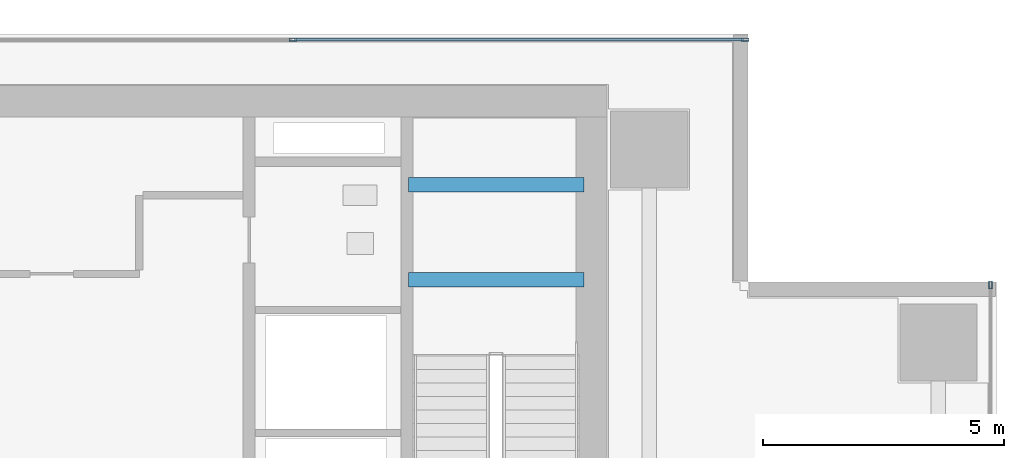
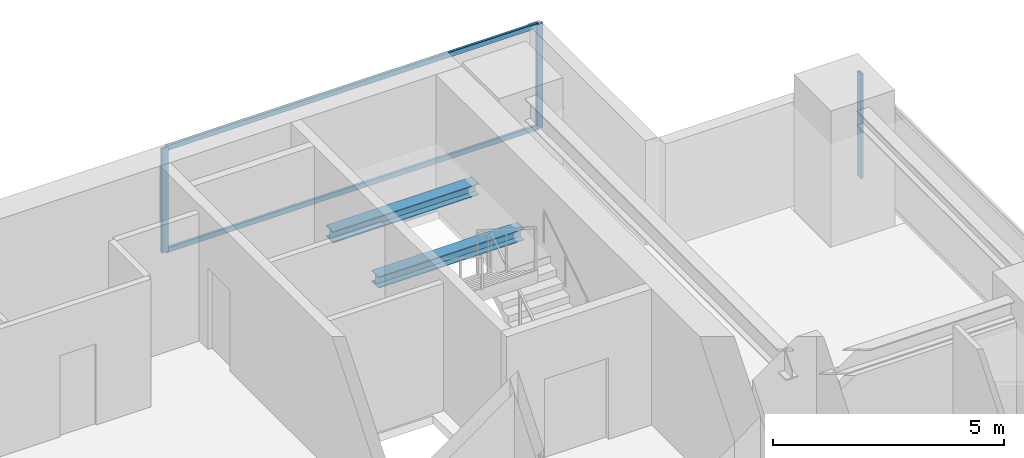
# One storey, part 19 of 27: 5 members, 2 beams, 2 elements without a shape of their own.
"""IFC4 building model written with IfcOpenShell, lengths in metres."""

import ifcopenshell
import ifcopenshell.guid

model = None  # the IFC model being written
_history = None  # IfcOwnerHistory: only IFC2X3 demands one
_inside = {}  # id of a spatial element -> (the spatial element, [elements in it])
_under = {}  # id of a project, library or spatial element -> (it, [spatial elements below it])
_declared = {}  # id of a project -> (the project, [libraries it declares])
_typed = {}  # id of a type object -> (the type object, [elements of that type])
_made_of = {}  # id of a material, layer set ... -> (it, [elements and type objects made of it])


def new_model(schema):
    """Start an empty IFC model of exactly this schema.

    Asked for "IFC4X3", IfcOpenShell would pick the latest addendum, in which some entities
    have other attributes; the version numbers below select the first issue.
    IFC2X3 requires an IfcOwnerHistory on every rooted entity: one is made here for all.
    """
    global model, _history
    if schema == "IFC4X3":
        model = ifcopenshell.file(schema_version=(4, 3, 0, 0))
    else:
        model = ifcopenshell.file(schema=schema)
    _inside.clear()
    _under.clear()
    _declared.clear()
    _typed.clear()
    _made_of.clear()
    _history = None
    if model.schema == "IFC2X3":
        org = make("IfcOrganization", Name="unknown")
        user = make(
            "IfcPersonAndOrganization",
            ThePerson=make("IfcPerson", FamilyName="unknown"),
            TheOrganization=org,
        )
        app = make(
            "IfcApplication",
            ApplicationDeveloper=org,
            Version="unknown",
            ApplicationFullName="unknown",
            ApplicationIdentifier="unknown",
        )
        _history = make(
            "IfcOwnerHistory",
            OwningUser=user,
            OwningApplication=app,
            ChangeAction="ADDED",
            CreationDate=0,
        )
    return model


def make(cls, **values):
    """One entity of the class cls with the attributes given. An attribute that is None is left unset."""
    return model.create_entity(
        cls, **{name: value for name, value in values.items() if value is not None}
    )


def rooted(cls, **values):
    """An entity with a GlobalId (a new one), such as an element, a storey or a relation."""
    return make(cls, GlobalId=ifcopenshell.guid.new(), OwnerHistory=_history, **values)


def si_unit(unit_type, name, prefix=None):
    """IfcSIUnit, for example si_unit("LENGTHUNIT", "METRE", prefix="MILLI")."""
    return make("IfcSIUnit", UnitType=unit_type, Prefix=prefix, Name=name)


def assignment(units):
    """IfcUnitAssignment: the units of a project."""
    return None if units is None else make("IfcUnitAssignment", Units=units)


def point(xyz):
    """IfcCartesianPoint."""
    return None if xyz is None else make("IfcCartesianPoint", Coordinates=xyz)


def direction(xyz):
    """IfcDirection."""
    return None if xyz is None else make("IfcDirection", DirectionRatios=xyz)


def frame(location, z_axis=None, x_axis=None):
    """IfcAxis2Placement3D, a coordinate frame: its origin and axes. An axis left out is left unset."""
    return make(
        "IfcAxis2Placement3D",
        Location=point(location),
        Axis=direction(z_axis),
        RefDirection=direction(x_axis),
    )


def frame_2d(location, x_axis=None):
    """IfcAxis2Placement2D, a coordinate frame in the plane: its origin and x axis."""
    return make(
        "IfcAxis2Placement2D", Location=point(location), RefDirection=direction(x_axis)
    )


def origin():
    """The frame at (0, 0, 0) with its axes left unset."""
    return frame((0.0, 0.0, 0.0))


def origin_2d():
    """The frame at (0, 0) in the plane with its x axis left unset."""
    return frame_2d((0.0, 0.0))


def place(relative_to, where):
    """IfcLocalPlacement: puts the frame where relative to a parent placement (None: the world)."""
    return make(
        "IfcLocalPlacement", PlacementRelTo=relative_to, RelativePlacement=where
    )


def context(
    kind, dimensions, precision=None, world=None, true_north=None, identifier=None
):
    """IfcGeometricRepresentationContext, for example the 3D "Model" context."""
    return make(
        "IfcGeometricRepresentationContext",
        ContextIdentifier=identifier,
        ContextType=kind,
        CoordinateSpaceDimension=dimensions,
        Precision=precision,
        WorldCoordinateSystem=world,
        TrueNorth=true_north,
    )


def subcontext(parent, identifier, kind, view, scale=None):
    """IfcGeometricRepresentationSubContext, for example "Body" below "Model"."""
    return make(
        "IfcGeometricRepresentationSubContext",
        ContextIdentifier=identifier,
        ContextType=kind,
        ParentContext=parent,
        TargetScale=scale,
        TargetView=view,
    )


def project(units=None, contexts=None):
    """IfcProject with its units and contexts."""
    return rooted(
        "IfcProject",
        Name="project",
        RepresentationContexts=contexts,
        UnitsInContext=assignment(units),
    )


def spatial(cls, under=None, at=None, **own):
    """A site, building, storey or space (cls), placed at a placement, below another one or the project."""
    s = rooted(cls, ObjectPlacement=at, **own)
    if under is not None:
        _under.setdefault(under.id(), (under, []))[1].append(s)
    return s


def profile(cls, at=None, kind="AREA", **sizes):
    """A parametric profile (cls). Its sizes go by their IFC names, for example OverallWidth=200.0."""
    return make(cls, ProfileType=kind, Position=at, **sizes)


def hollow_rectangle(**sizes):
    """IfcRectangleHollowProfileDef."""
    return profile("IfcRectangleHollowProfileDef", **sizes)


def i_section(**sizes):
    """IfcIShapeProfileDef."""
    return profile("IfcIShapeProfileDef", **sizes)


def extrude(swept, where, along, depth):
    """IfcExtrudedAreaSolid: the profile swept, set in the frame where, extruded along a direction by depth."""
    return make(
        "IfcExtrudedAreaSolid",
        SweptArea=swept,
        Position=where,
        ExtrudedDirection=direction(along),
        Depth=depth,
    )


def shape(context_of_items, identifier, shape_type, items):
    """IfcShapeRepresentation: the items that make up one representation, for example the "Body"."""
    return make(
        "IfcShapeRepresentation",
        ContextOfItems=context_of_items,
        RepresentationIdentifier=identifier,
        RepresentationType=shape_type,
        Items=items,
    )


def source(mapping_origin, context_of_items, identifier, shape_type, items):
    """IfcRepresentationMap: a shape defined once, which mapped items show again and again."""
    return make(
        "IfcRepresentationMap",
        MappingOrigin=mapping_origin,
        MappedRepresentation=shape(context_of_items, identifier, shape_type, items),
    )


def transform(
    local_origin,
    x_axis=None,
    y_axis=None,
    z_axis=None,
    scale=None,
    scale2=None,
    scale3=None,
    uniform=True,
):
    """IfcCartesianTransformationOperator3D, or its non-uniform kind. x_axis, y_axis, z_axis: its Axis1, 2, 3."""
    if uniform:
        return make(
            "IfcCartesianTransformationOperator3D",
            Axis1=direction(x_axis),
            Axis2=direction(y_axis),
            LocalOrigin=point(local_origin),
            Scale=scale,
            Axis3=direction(z_axis),
        )
    return make(
        "IfcCartesianTransformationOperator3DnonUniform",
        Axis1=direction(x_axis),
        Axis2=direction(y_axis),
        LocalOrigin=point(local_origin),
        Scale=scale,
        Axis3=direction(z_axis),
        Scale2=scale2,
        Scale3=scale3,
    )


def mapped(mapping_source, mapping_target):
    """IfcMappedItem: shows the shape of a source again, moved by a transform."""
    return make(
        "IfcMappedItem", MappingSource=mapping_source, MappingTarget=mapping_target
    )


def material(Name=None, Category=None):
    """IfcMaterial."""
    return make("IfcMaterial", Name=Name, Category=Category)


def layer(
    of_material, thickness, ventilated=None, Name=None, Category=None, Priority=None
):
    """IfcMaterialLayer: one layer of a wall or slab, of a material (None: an air gap)."""
    return make(
        "IfcMaterialLayer",
        Material=of_material,
        LayerThickness=thickness,
        IsVentilated=ventilated,
        Name=Name,
        Category=Category,
        Priority=Priority,
    )


def layer_set(layers, Name=None):
    """IfcMaterialLayerSet."""
    return make("IfcMaterialLayerSet", MaterialLayers=layers, LayerSetName=Name)


def material_profile(
    of_material, cross_section, Name=None, Category=None, Priority=None
):
    """IfcMaterialProfile: a cross section and its material."""
    return make(
        "IfcMaterialProfile",
        Name=Name,
        Material=of_material,
        Profile=cross_section,
        Priority=Priority,
        Category=Category,
    )


def profile_set(profiles, Name=None, composite=None):
    """IfcMaterialProfileSet."""
    return make(
        "IfcMaterialProfileSet",
        Name=Name,
        MaterialProfiles=profiles,
        CompositeProfile=composite,
    )


def made_of(thing, what):
    """Note that an element or type object is made of a material, layer set ...; save() writes the relation."""
    if what is not None:
        _made_of.setdefault(what.id(), (what, []))[1].append(thing)
    return thing


def type_object(cls, material=None, **own):
    """A type object (cls), such as IfcWallType, which elements share."""
    return made_of(rooted(cls, **own), material)


def element(
    cls,
    number,
    at=None,
    inside=None,
    cuts=None,
    type_object=None,
    material=None,
    context=None,
    identifier="Body",
    shape_type=None,
    held_by="IfcProductDefinitionShape",
    body=None,
    shapes=None,
    **own,
):
    """One element of the class cls, such as IfcWall. Its Tag is "e" and its number.

    at: its placement. inside: the storey or other place that contains it. cuts: it is an
    opening in that element (IfcRelVoidsElement). A single representation is given by context,
    identifier, shape_type and body (its items); several are given by shapes. held_by: the class
    of the entity that holds the representations. save() writes the other relations.
    """
    e = rooted(cls, Tag="e%d" % number, ObjectPlacement=at, **own)
    if body is not None:
        shapes = [shape(context, identifier, shape_type, body)]
    if shapes is not None:
        e.Representation = make(held_by, Representations=shapes)
    if inside is not None:
        _inside.setdefault(inside.id(), (inside, []))[1].append(e)
    if cuts is not None:
        rooted(
            "IfcRelVoidsElement", RelatingBuildingElement=cuts, RelatedOpeningElement=e
        )
    if type_object is not None:
        _typed.setdefault(type_object.id(), (type_object, []))[1].append(e)
    return made_of(e, material)


def aggregate(whole, parts):
    """IfcRelAggregates: a whole, such as a stair, and the parts it consists of."""
    return rooted("IfcRelAggregates", RelatingObject=whole, RelatedObjects=parts)


def save(model, path):
    """Write the relations noted so far, then the file.

    IfcRelAggregates (storeys below a building ...), IfcRelContainedInSpatialStructure (elements
    in a storey), IfcRelDefinesByType, IfcRelAssociatesMaterial and IfcRelDeclares: one each for
    every whole, place, type object, material and project.
    """
    for whole, parts in _under.values():
        aggregate(whole, parts)
    for where, things in _inside.values():
        rooted(
            "IfcRelContainedInSpatialStructure",
            RelatedElements=things,
            RelatingStructure=where,
        )
    for kind, things in _typed.values():
        rooted("IfcRelDefinesByType", RelatedObjects=things, RelatingType=kind)
    for what, things in _made_of.values():
        rooted("IfcRelAssociatesMaterial", RelatedObjects=things, RelatingMaterial=what)
    for by, libraries in _declared.values():
        rooted("IfcRelDeclares", RelatingContext=by, RelatedDefinitions=libraries)
    model.write(path)


model = new_model("IFC4")

# Units and contexts
model_context = context("Model", 3, precision=1e-05, world=origin(), true_north=direction((0.0, 1.0)))
body_context = subcontext(model_context, "Body", "Model", "MODEL_VIEW")
ifc_project = project(units=[si_unit("LENGTHUNIT", "METRE"), si_unit("AREAUNIT", "SQUARE_METRE"), si_unit("VOLUMEUNIT", "CUBIC_METRE"), si_unit("PLANEANGLEUNIT", "RADIAN"), si_unit("MASSUNIT", "GRAM", prefix="KILO")], contexts=[model_context])

# Site, building, storey
site_placement = place(None, origin())
site = spatial("IfcSite", under=ifc_project, at=site_placement, CompositionType="ELEMENT")
building_placement = place(site_placement, origin())
building = spatial("IfcBuilding", under=site, at=building_placement, Name="Sumidabori Civic Tower", CompositionType="ELEMENT")
storey_placement = place(building_placement, frame((0.0, 0.0, 142.39990234375)))
storey = spatial("IfcBuildingStorey", under=building, at=storey_placement, Name="L36", CompositionType="ELEMENT", Elevation=142.39990234375)

# Beams
ifc_material_1 = material(Name="Steel SN490", Category="steel")
ifc_material_profile_1 = material_profile(ifc_material_1, i_section(OverallWidth=0.300048828125, OverallDepth=0.300048828125, WebThickness=0.010986328125, FlangeThickness=0.01904296875, at=origin_2d()), Name="HE 300 B")
ifc_profile_set_1 = profile_set([ifc_material_profile_1], Name="Steel SN490")
beam_type = type_object("IfcBeamType", Name="BM-LDG-300", PredefinedType="BEAM", material=ifc_profile_set_1)
shared_shape_1 = source(origin(), body_context, "Body", "SweptSolid", [
    extrude(i_section(OverallWidth=0.300048828125, OverallDepth=0.300048828125, WebThickness=0.010986328125, FlangeThickness=0.01904296875, at=origin_2d()), origin(), (0.0, 0.0, 1.0), 3.64990234375),
])
for number, where, z_axis, x_axis, name in (
    (1, (11.800048828125, 20.09765625, 1.4501953125), (1.0, 0.0, 0.0), (0.0, 1.0, 0.0), "Stair ST-2 Landing Support Beam L36-1A"),
    (2, (11.800048828125, 22.069580078125, 1.4501953125), (1.0, 0.0, 0.0), (0.0, 1.0, 0.0), "Stair ST-2 Landing Trimmer Beam L36-1B"),
):
    element("IfcBeam", number, at=place(storey_placement, frame(where, z_axis=z_axis, x_axis=x_axis)), inside=storey, type_object=beam_type, Name=name, PredefinedType="BEAM", context=body_context, shape_type="MappedRepresentation", body=[
        mapped(shared_shape_1, transform((0.0, 0.0, 0.0), x_axis=(1.0, 0.0, 0.0), y_axis=(0.0, 1.0, 0.0), z_axis=(0.0, 0.0, 1.0), scale=1.0)),
    ])

# Curtain wall, member
ifc_material_2 = material(Name="Anodised Bronze Aluminium AW-6063-T6", Category="aluminium")
ifc_layer = layer(ifc_material_2, 0.179931640625, Name="Anodised Bronze Aluminium AW-6063-T6")
ifc_layer_set = layer_set([ifc_layer], Name="Anodised Bronze Aluminium AW-6063-T6")
curtain_wall_type = type_object("IfcCurtainWallType", Name="CW-SYS-3", PredefinedType="NOTDEFINED", material=ifc_layer_set)
curtain_wall_1_placement = place(storey_placement, origin())
curtain_wall_1 = element("IfcCurtainWall", 3, at=curtain_wall_1_placement, inside=storey, type_object=curtain_wall_type, Name="Curtain Wall CW:L36:R04", PredefinedType="NOTDEFINED")
ifc_material_profile_2 = material_profile(ifc_material_2, hollow_rectangle(XDim=0.06494140625, YDim=0.159912109375, WallThickness=0.0048828125, at=origin_2d()), Name="ALU MULLION 160x65")
ifc_profile_set_2 = profile_set([ifc_material_profile_2], Name="Anodised Bronze Aluminium AW-6063-T6")
member_type_1 = type_object("IfcMemberType", Name="CW-MUL-160", PredefinedType="MULLION", material=ifc_profile_set_2)
shared_shape_2 = source(origin(), body_context, "Body", "SweptSolid", [
    extrude(hollow_rectangle(XDim=0.06494140625, YDim=0.159912109375, WallThickness=0.0048828125, at=origin_2d()), origin(), (0.0, 0.0, 1.0), 2.760009765625),
])
member_1_placement = place(storey_placement, frame((23.8798828125, 19.987548828125, 0.0), z_axis=(0.0, 0.0, 1.0), x_axis=(-1.0, 0.0, 0.0)))
member_1 = element("IfcMember", 4, at=member_1_placement, type_object=member_type_1, Name="CW-3 mullion 5", PredefinedType="MULLION", context=body_context, shape_type="MappedRepresentation", body=[
    mapped(shared_shape_2, transform((0.0, 0.0, 0.0), x_axis=(1.0, 0.0, 0.0), y_axis=(0.0, 1.0, 0.0), z_axis=(0.0, 0.0, 1.0), scale=1.0)),
])
aggregate(curtain_wall_1, [member_1])

# Curtain wall, members
curtain_wall_2_placement = place(storey_placement, origin())
curtain_wall_2 = element("IfcCurtainWall", 5, at=curtain_wall_2_placement, inside=storey, type_object=curtain_wall_type, Name="Curtain Wall CW:L36:R07", PredefinedType="NOTDEFINED")
member_2_placement = place(storey_placement, frame((18.78759765625, 25.080078125, 0.0), z_axis=(0.0, 0.0, 1.0), x_axis=(0.0, -1.0, 0.0)))
member_2 = element("IfcMember", 6, at=member_2_placement, type_object=member_type_1, Name="CW-3 mullion 1", PredefinedType="MULLION", context=body_context, shape_type="MappedRepresentation", body=[
    mapped(shared_shape_2, transform((0.0, 0.0, 0.0), x_axis=(1.0, 0.0, 0.0), y_axis=(0.0, 1.0, 0.0), z_axis=(0.0, 0.0, 1.0), scale=1.0)),
])
member_3_placement = place(storey_placement, frame((9.409912109375, 25.080078125, 0.0), z_axis=(0.0, 0.0, 1.0), x_axis=(0.0, -1.0, 0.0)))
member_3 = element("IfcMember", 7, at=member_3_placement, type_object=member_type_1, Name="CW-3 mullion 2", PredefinedType="MULLION", context=body_context, shape_type="MappedRepresentation", body=[
    mapped(shared_shape_2, transform((0.0, 0.0, 0.0), x_axis=(1.0, 0.0, 0.0), y_axis=(0.0, 1.0, 0.0), z_axis=(0.0, 0.0, 1.0), scale=1.0)),
])
ifc_material_profile_3 = material_profile(ifc_material_2, hollow_rectangle(XDim=0.06005859375, YDim=0.1298828125, WallThickness=0.0048828125, at=origin_2d()), Name="ALU TRANSOM 130x60")
ifc_profile_set_3 = profile_set([ifc_material_profile_3], Name="Anodised Bronze Aluminium AW-6063-T6")
member_type_2 = type_object("IfcMemberType", Name="CW-TRN-130", PredefinedType="USERDEFINED", material=ifc_profile_set_3)
shared_shape_3 = source(origin(), body_context, "Body", "SweptSolid", [
    extrude(hollow_rectangle(XDim=0.06005859375, YDim=0.1298828125, WallThickness=0.0048828125, at=origin_2d()), origin(), (0.0, 0.0, 1.0), 9.3125),
])
member_4_placement = place(storey_placement, frame((18.7548828125, 25.080078125, 0.030029296875), z_axis=(-1.0, 0.0, 0.0), x_axis=(0.0, -1.0, 0.0)))
member_4 = element("IfcMember", 8, at=member_4_placement, type_object=member_type_2, Name="CW-3 transom 1.1", ObjectType="TRANSOM", PredefinedType="USERDEFINED", context=body_context, shape_type="MappedRepresentation", body=[
    mapped(shared_shape_3, transform((0.0, 0.0, 0.0), x_axis=(1.0, 0.0, 0.0), y_axis=(0.0, 1.0, 0.0), z_axis=(0.0, 0.0, 1.0), scale=1.0)),
])
member_5_placement = place(storey_placement, frame((18.7548828125, 25.080078125, 2.72998046875), z_axis=(-1.0, 0.0, 0.0), x_axis=(0.0, -1.0, 0.0)))
member_5 = element("IfcMember", 9, at=member_5_placement, type_object=member_type_2, Name="CW-3 transom 1.2", ObjectType="TRANSOM", PredefinedType="USERDEFINED", context=body_context, shape_type="MappedRepresentation", body=[
    mapped(shared_shape_3, transform((0.0, 0.0, 0.0), x_axis=(1.0, 0.0, 0.0), y_axis=(0.0, 1.0, 0.0), z_axis=(0.0, 0.0, 1.0), scale=1.0)),
])
aggregate(curtain_wall_2, [member_2, member_3, member_4, member_5])

save(model, "model.ifc")
